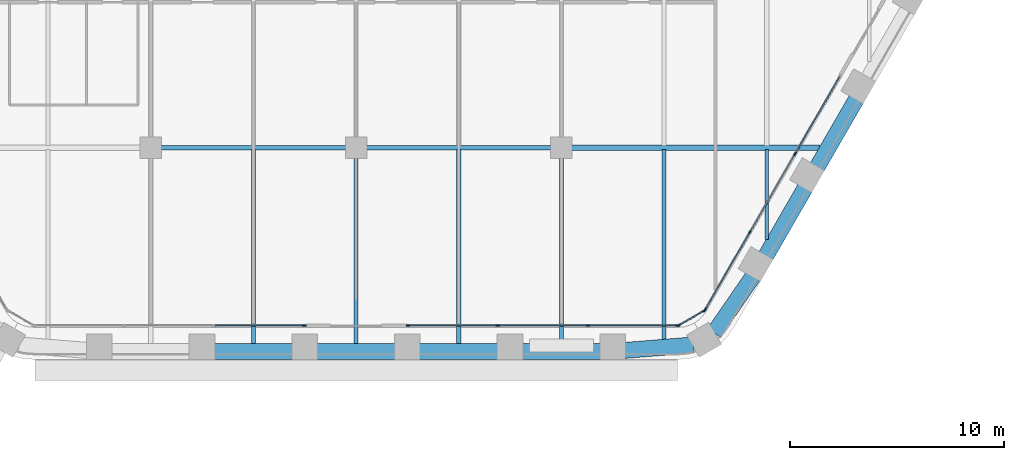
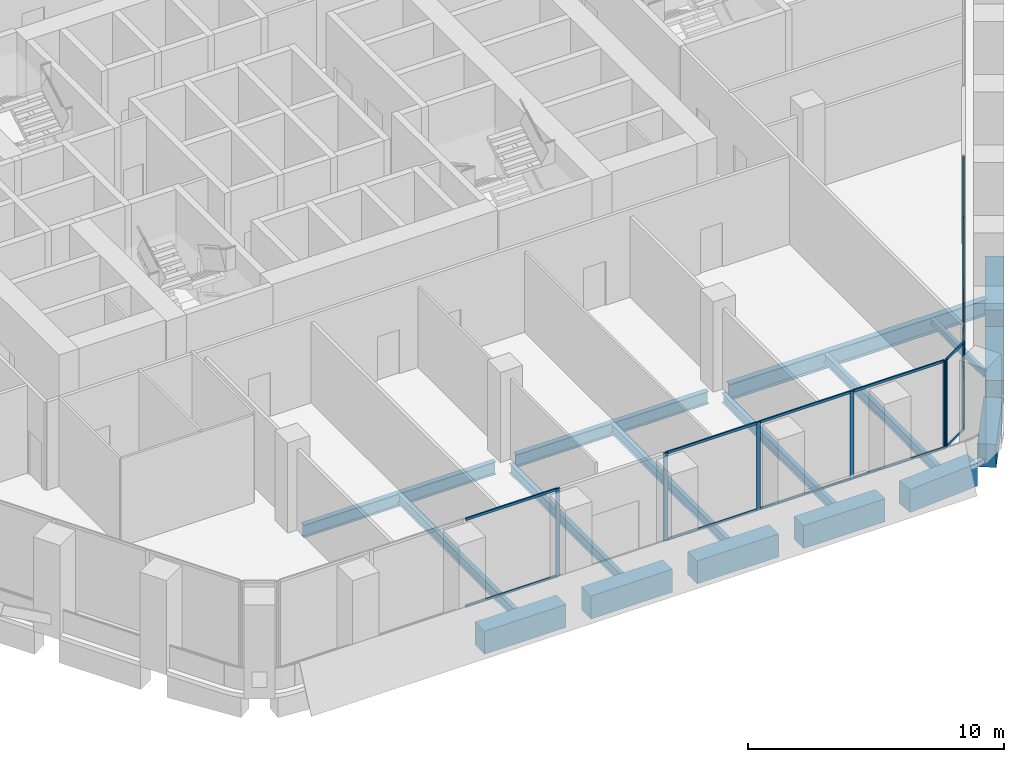
# One storey, part 4 of 27: 26 members, 17 beams, 4 elements without a shape of their own.
"""IFC4 building model written with IfcOpenShell, lengths in metres."""

from ifc_helpers import new_model, si_unit, direction, frame, origin, origin_2d, place, context, subcontext, project, spatial, rectangle, i_section, extrude, material, material_profile, profile_set, type_object, element, aggregate, save


model = new_model("IFC4")

# Units and contexts
model_context = context("Model", 3, precision=1e-05, world=origin(), true_north=direction((0.0, 1.0)))
body_context = subcontext(model_context, "Body", "Model", "MODEL_VIEW")
ifc_project = project(units=[si_unit("LENGTHUNIT", "METRE"), si_unit("AREAUNIT", "SQUARE_METRE"), si_unit("VOLUMEUNIT", "CUBIC_METRE"), si_unit("PLANEANGLEUNIT", "RADIAN"), si_unit("MASSUNIT", "GRAM", prefix="KILO")], contexts=[model_context])

# Site, building, storey
site_placement = place(None, origin())
site = spatial("IfcSite", under=ifc_project, at=site_placement, CompositionType="ELEMENT")
building_placement = place(site_placement, origin())
building = spatial("IfcBuilding", under=site, at=building_placement, Name="Kolab Exchange Tower", CompositionType="ELEMENT")
storey_placement = place(building_placement, frame((0.0, 0.0, 118.39990234375)))
storey = spatial("IfcBuildingStorey", under=building, at=storey_placement, Name="L23", CompositionType="ELEMENT", Elevation=118.39990234375)

# Beams
ifc_material_1 = material(Name="Steel S355", Category="steel")
ifc_material_profile_1 = material_profile(ifc_material_1, i_section(OverallWidth=0.1650390625, OverallDepth=0.31005859375, WebThickness=0.005859375, FlangeThickness=0.009765625, at=origin_2d()), Name="W310X39")
ifc_profile_set_1 = profile_set([ifc_material_profile_1], Name="Steel S355")
beam_type_1 = type_object("IfcBeamType", Name="FLOOR BEAM W310X39", PredefinedType="BEAM", material=ifc_profile_set_1)
beam_1_placement = place(storey_placement, frame((19.199951171875, -23.4814453125, -0.35498046875), z_axis=(0.0, 1.0, 0.0), x_axis=(-1.0, 0.0, 0.0)))
element("IfcBeam", 1, at=beam_1_placement, inside=storey, type_object=beam_type_1, Name="beam/L23/fr/040", PredefinedType="BEAM", context=body_context, shape_type="SweptSolid", body=[
    extrude(i_section(OverallWidth=0.1650390625, OverallDepth=0.31005859375, WebThickness=0.005859375, FlangeThickness=0.009765625, at=origin_2d()), origin(), (0.0, 0.0, 1.0), 4.18798828125),
])
ifc_material_profile_2 = material_profile(ifc_material_1, i_section(OverallWidth=0.18994140625, OverallDepth=0.45703125, WebThickness=0.009033203125, FlangeThickness=0.014404296875, at=origin_2d()), Name="W460X74")
ifc_profile_set_2 = profile_set([ifc_material_profile_2], Name="Steel S355")
beam_type_2 = type_object("IfcBeamType", Name="FLOOR BEAM W460X74", PredefinedType="BEAM", material=ifc_profile_set_2)
beam_2_placement = place(storey_placement, frame((-4.800048828125, -28.388427734375, -0.428466796875), z_axis=(0.0, 1.0, 0.0), x_axis=(-1.0, 0.0, 0.0)))
element("IfcBeam", 2, at=beam_2_placement, inside=storey, type_object=beam_type_2, Name="beam/L23/fr/020", PredefinedType="BEAM", context=body_context, shape_type="SweptSolid", body=[
    extrude(i_section(OverallWidth=0.18994140625, OverallDepth=0.45703125, WebThickness=0.009033203125, FlangeThickness=0.014404296875, at=origin_2d()), origin(), (0.0, 0.0, 1.0), 9.114501953125),
])
beam_3_placement = place(storey_placement, frame((0.0, -28.388427734375, -0.428466796875), z_axis=(0.0, 1.0, 0.0), x_axis=(-1.0, 0.0, 0.0)))
element("IfcBeam", 3, at=beam_3_placement, inside=storey, type_object=beam_type_2, Name="beam/L23/fr/024", PredefinedType="BEAM", context=body_context, shape_type="SweptSolid", body=[
    extrude(i_section(OverallWidth=0.18994140625, OverallDepth=0.45703125, WebThickness=0.009033203125, FlangeThickness=0.014404296875, at=origin_2d()), origin(), (0.0, 0.0, 1.0), 8.728515625),
])
beam_4_placement = place(storey_placement, frame((4.800048828125, -28.388427734375, -0.428466796875), z_axis=(0.0, 1.0, 0.0), x_axis=(-1.0, 0.0, 0.0)))
element("IfcBeam", 4, at=beam_4_placement, inside=storey, type_object=beam_type_2, Name="beam/L23/fr/028", PredefinedType="BEAM", context=body_context, shape_type="SweptSolid", body=[
    extrude(i_section(OverallWidth=0.18994140625, OverallDepth=0.45703125, WebThickness=0.009033203125, FlangeThickness=0.014404296875, at=origin_2d()), origin(), (0.0, 0.0, 1.0), 9.114501953125),
])
beam_5_placement = place(storey_placement, frame((9.60009765625, -28.388427734375, -0.428466796875), z_axis=(0.0, 1.0, 0.0), x_axis=(-1.0, 0.0, 0.0)))
element("IfcBeam", 5, at=beam_5_placement, inside=storey, type_object=beam_type_2, Name="beam/L23/fr/032", PredefinedType="BEAM", context=body_context, shape_type="SweptSolid", body=[
    extrude(i_section(OverallWidth=0.18994140625, OverallDepth=0.45703125, WebThickness=0.009033203125, FlangeThickness=0.014404296875, at=origin_2d()), origin(), (0.0, 0.0, 1.0), 8.728515625),
])
beam_6_placement = place(storey_placement, frame((14.39990234375, -28.194580078125, -0.428466796875), z_axis=(0.0, 1.0, 0.0), x_axis=(-1.0, 0.0, 0.0)))
element("IfcBeam", 6, at=beam_6_placement, inside=storey, type_object=beam_type_2, Name="beam/L23/fr/036", PredefinedType="BEAM", context=body_context, shape_type="SweptSolid", body=[
    extrude(i_section(OverallWidth=0.18994140625, OverallDepth=0.45703125, WebThickness=0.009033203125, FlangeThickness=0.014404296875, at=origin_2d()), origin(), (0.0, 0.0, 1.0), 8.901123046875),
])
ifc_material_profile_3 = material_profile(ifc_material_1, i_section(OverallWidth=0.22802734375, OverallDepth=0.60791015625, WebThickness=0.01123046875, FlangeThickness=0.017333984375, at=origin_2d()), Name="W610X113")
ifc_profile_set_3 = profile_set([ifc_material_profile_3], Name="Steel S355")
beam_type_3 = type_object("IfcBeamType", Name="FLOOR GIRDER W610X113", PredefinedType="BEAM", material=ifc_profile_set_3)
for number, where, z_axis, x_axis, name in (
    (7, (-9.139892578125, -19.199951171875, -0.50390625), (1.0, 0.0, 0.0), (0.0, 1.0, 0.0), "beam/L23/gd/008"),
    (8, (0.4599609375, -19.199951171875, -0.50390625), (1.0, 0.0, 0.0), (0.0, 1.0, 0.0), "beam/L23/gd/010"),
):
    element("IfcBeam", number, at=place(storey_placement, frame(where, z_axis=z_axis, x_axis=x_axis)), inside=storey, type_object=beam_type_3, Name=name, PredefinedType="BEAM", context=body_context, shape_type="SweptSolid", body=[
        extrude(i_section(OverallWidth=0.22802734375, OverallDepth=0.60791015625, WebThickness=0.01123046875, FlangeThickness=0.017333984375, at=origin_2d()), origin(), (0.0, 0.0, 1.0), 8.679931640625),
    ])
ifc_material_profile_4 = material_profile(ifc_material_1, i_section(OverallWidth=0.26708984375, OverallDepth=0.761962890625, WebThickness=0.014404296875, FlangeThickness=0.021484375, at=origin_2d()), Name="W760X173")
ifc_profile_set_4 = profile_set([ifc_material_profile_4], Name="Steel S355")
beam_type_4 = type_object("IfcBeamType", Name="FLOOR GIRDER W760X173", PredefinedType="BEAM", material=ifc_profile_set_4)
beam_7_placement = place(storey_placement, frame((10.06005859375, -19.199951171875, -0.580810546875), z_axis=(1.0, 0.0, 0.0), x_axis=(0.0, 1.0, 0.0)))
element("IfcBeam", 9, at=beam_7_placement, inside=storey, type_object=beam_type_4, Name="beam/L23/gd/012", PredefinedType="BEAM", context=body_context, shape_type="SweptSolid", body=[
    extrude(i_section(OverallWidth=0.26708984375, OverallDepth=0.761962890625, WebThickness=0.014404296875, FlangeThickness=0.021484375, at=origin_2d()), origin(), (0.0, 0.0, 1.0), 11.628662109375),
])
ifc_material_2 = material(Name="Concrete C70/85", Category="concrete")
ifc_material_profile_5 = material_profile(ifc_material_2, rectangle(XDim=0.75, YDim=1.10009765625, at=origin_2d()), Name="RC750X1100")
ifc_profile_set_5 = profile_set([ifc_material_profile_5], Name="Concrete C70/85")
beam_type_5 = type_object("IfcBeamType", Name="SPANDREL BEAM 750X1100 C70/85", PredefinedType="BEAM", material=ifc_profile_set_5)
for number, where, z_axis, x_axis, name in (
    (10, (23.395263671875, -16.925048828125, -0.75), (-0.500013413428, -0.866017659399, 0.0), (0.866017659399, -0.500013413428, 0.0), "beam/L23/sp/F3-05"),
    (11, (20.995361328125, -21.08203125, -0.75), (-0.500013413428, -0.866017659399, 0.0), (0.866017659399, -0.500013413428, 0.0), "beam/L23/sp/F3-06"),
):
    element("IfcBeam", number, at=place(storey_placement, frame(where, z_axis=z_axis, x_axis=x_axis)), inside=storey, type_object=beam_type_5, Name=name, PredefinedType="BEAM", context=body_context, shape_type="SweptSolid", body=[
        extrude(rectangle(XDim=0.75, YDim=1.10009765625, at=origin_2d()), origin(), (0.0, 0.0, 1.0), 3.68017578125),
    ])
for number, where, z_axis, x_axis, name in (
    (12, (18.55615234375, -25.216552734375, -0.75), (-0.567661826262, -0.823261836237, 0.0), (0.823261836237, -0.567661826262, 0.0), "beam/L23/sp/F3-07"),
    (13, (15.75830078125, -28.421630859375, -0.75), (-0.996791038408, -0.080047646748, 0.0), (0.080047646748, -0.996791038408, 0.0), "beam/L23/sp/F4-01"),
):
    element("IfcBeam", number, at=place(storey_placement, frame(where, z_axis=z_axis, x_axis=x_axis)), inside=storey, type_object=beam_type_5, Name=name, PredefinedType="BEAM", context=body_context, shape_type="SweptSolid", body=[
        extrude(rectangle(XDim=0.75, YDim=1.10009765625, at=origin_2d()), origin(), (0.0, 0.0, 1.0), 3.20849609375),
    ])
for number, where, z_axis, x_axis, name in (
    (14, (11.43994140625, -28.723388671875, -0.75), (-1.0, 0.0, 0.0), (0.0, -1.0, 0.0), "beam/L23/sp/F4-02"),
    (15, (6.639892578125, -28.723388671875, -0.75), (-1.0, 0.0, 0.0), (0.0, -1.0, 0.0), "beam/L23/sp/F4-03"),
):
    element("IfcBeam", number, at=place(storey_placement, frame(where, z_axis=z_axis, x_axis=x_axis)), inside=storey, type_object=beam_type_5, Name=name, PredefinedType="BEAM", context=body_context, shape_type="SweptSolid", body=[
        extrude(rectangle(XDim=0.75, YDim=1.10009765625, at=origin_2d()), origin(), (0.0, 0.0, 1.0), 3.679931640625),
    ])
beam_8_placement = place(storey_placement, frame((1.840087890625, -28.723388671875, -0.75), z_axis=(-1.0, 0.0, 0.0), x_axis=(0.0, -1.0, 0.0)))
element("IfcBeam", 16, at=beam_8_placement, inside=storey, type_object=beam_type_5, Name="beam/L23/sp/F4-04", PredefinedType="BEAM", context=body_context, shape_type="SweptSolid", body=[
    extrude(rectangle(XDim=0.75, YDim=1.10009765625, at=origin_2d()), origin(), (0.0, 0.0, 1.0), 3.68017578125),
])
beam_9_placement = place(storey_placement, frame((-2.9599609375, -28.723388671875, -0.75), z_axis=(-1.0, 0.0, 0.0), x_axis=(0.0, -1.0, 0.0)))
element("IfcBeam", 17, at=beam_9_placement, inside=storey, type_object=beam_type_5, Name="beam/L23/sp/F4-05", PredefinedType="BEAM", context=body_context, shape_type="SweptSolid", body=[
    extrude(rectangle(XDim=0.75, YDim=1.10009765625, at=origin_2d()), origin(), (0.0, 0.0, 1.0), 3.679931640625),
])

# Curtain wall, members
ifc_material_3 = material(Name="Aluminium EN AW-6063 T6", Category="aluminium")
curtain_wall_type = type_object("IfcCurtainWallType", Name="UNITISED LOWER MID ZONE CURTAIN WALL", PredefinedType="NOTDEFINED", material=ifc_material_3)
curtain_wall_1_placement = place(storey_placement, origin())
curtain_wall_1 = element("IfcCurtainWall", 18, at=curtain_wall_1_placement, inside=storey, type_object=curtain_wall_type, Name="cw/L23/F3-2", PredefinedType="NOTDEFINED")
ifc_material_profile_6 = material_profile(ifc_material_3, rectangle(XDim=0.06005859375, YDim=0.179931640625, at=origin_2d()), Name="RECT 60X180")
ifc_profile_set_6 = profile_set([ifc_material_profile_6], Name="Aluminium EN AW-6063 T6")
member_type_1 = type_object("IfcMemberType", Name="UNITISED LOWER MID ZONE MULLION 60 X 180", PredefinedType="MULLION", material=ifc_profile_set_6)
member_1_placement = place(storey_placement, frame((20.520263671875, -19.49462890625, 0.0), z_axis=(0.0, 0.0, 1.0), x_axis=(0.866025393644, -0.500000017564, 0.0)))
member_1 = element("IfcMember", 19, at=member_1_placement, type_object=member_type_1, Name="CW2 mullion 2", PredefinedType="MULLION", context=body_context, shape_type="SweptSolid", body=[
    extrude(rectangle(XDim=0.06005859375, YDim=0.179931640625, at=origin_2d()), origin(), (0.0, 0.0, 1.0), 4.2001953125),
])
member_2_placement = place(storey_placement, frame((18.408935546875, -23.151611328125, 0.0), z_axis=(0.0, 0.0, 1.0), x_axis=(0.866025393644, -0.500000017564, 0.0)))
member_2 = element("IfcMember", 20, at=member_2_placement, type_object=member_type_1, Name="CW2 mullion 3", PredefinedType="MULLION", context=body_context, shape_type="SweptSolid", body=[
    extrude(rectangle(XDim=0.06005859375, YDim=0.179931640625, at=origin_2d()), origin(), (0.0, 0.0, 1.0), 4.2001953125),
])
member_3_placement = place(storey_placement, frame((16.312744140625, -26.782470703125, 0.0), z_axis=(0.0, 0.0, 1.0), x_axis=(0.866025393644, -0.500000017564, 0.0)))
member_3 = element("IfcMember", 21, at=member_3_placement, type_object=member_type_1, Name="CW2 mullion 4", PredefinedType="MULLION", context=body_context, shape_type="SweptSolid", body=[
    extrude(rectangle(XDim=0.06005859375, YDim=0.179931640625, at=origin_2d()), origin(), (0.0, 0.0, 1.0), 4.2001953125),
])

curtain_wall_2_placement = place(storey_placement, origin())
curtain_wall_2 = element("IfcCurtainWall", 22, at=curtain_wall_2_placement, inside=storey, type_object=curtain_wall_type, Name="cw/L23/F4-1", PredefinedType="NOTDEFINED")
member_4_placement = place(storey_placement, frame((15.037841796875, -27.5185546875, 0.0), z_axis=(0.0, 0.0, 1.0), x_axis=(0.0, -1.0, 0.0)))
member_4 = element("IfcMember", 23, at=member_4_placement, type_object=member_type_1, Name="CW2 mullion 1", PredefinedType="MULLION", context=body_context, shape_type="SweptSolid", body=[
    extrude(rectangle(XDim=0.06005859375, YDim=0.179931640625, at=origin_2d()), origin(), (0.0, 0.0, 1.0), 4.2001953125),
])
member_5_placement = place(storey_placement, frame((10.84521484375, -27.5185546875, 0.0), z_axis=(0.0, 0.0, 1.0), x_axis=(0.0, -1.0, 0.0)))
member_5 = element("IfcMember", 24, at=member_5_placement, type_object=member_type_1, Name="CW2 mullion 2", PredefinedType="MULLION", context=body_context, shape_type="SweptSolid", body=[
    extrude(rectangle(XDim=0.06005859375, YDim=0.179931640625, at=origin_2d()), origin(), (0.0, 0.0, 1.0), 4.2001953125),
])
member_6_placement = place(storey_placement, frame((6.62255859375, -27.5185546875, 0.0), z_axis=(0.0, 0.0, 1.0), x_axis=(0.0, -1.0, 0.0)))
member_6 = element("IfcMember", 25, at=member_6_placement, type_object=member_type_1, Name="CW2 mullion 3", PredefinedType="MULLION", context=body_context, shape_type="SweptSolid", body=[
    extrude(rectangle(XDim=0.06005859375, YDim=0.179931640625, at=origin_2d()), origin(), (0.0, 0.0, 1.0), 4.2001953125),
])
member_7_placement = place(storey_placement, frame((2.429931640625, -27.5185546875, 0.0), z_axis=(0.0, 0.0, 1.0), x_axis=(0.0, -1.0, 0.0)))
member_7 = element("IfcMember", 26, at=member_7_placement, type_object=member_type_1, Name="CW2 mullion 4", PredefinedType="MULLION", context=body_context, shape_type="SweptSolid", body=[
    extrude(rectangle(XDim=0.06005859375, YDim=0.179931640625, at=origin_2d()), origin(), (0.0, 0.0, 1.0), 4.2001953125),
])

# Curtain wall, member
curtain_wall_3_placement = place(storey_placement, origin())
curtain_wall_3 = element("IfcCurtainWall", 27, at=curtain_wall_3_placement, inside=storey, type_object=curtain_wall_type, Name="cw/L23/F4-2", PredefinedType="NOTDEFINED")
member_8_placement = place(storey_placement, frame((-2.429931640625, -27.5185546875, 0.0), z_axis=(0.0, 0.0, 1.0), x_axis=(0.0, -1.0, 0.0)))
member_8 = element("IfcMember", 28, at=member_8_placement, type_object=member_type_1, Name="CW2 mullion 1", PredefinedType="MULLION", context=body_context, shape_type="SweptSolid", body=[
    extrude(rectangle(XDim=0.06005859375, YDim=0.179931640625, at=origin_2d()), origin(), (0.0, 0.0, 1.0), 4.2001953125),
])

# Curtain wall, members
curtain_wall_4_placement = place(storey_placement, origin())
curtain_wall_4 = element("IfcCurtainWall", 29, at=curtain_wall_4_placement, inside=storey, type_object=curtain_wall_type, Name="cw/L23/F3F4-corner", PredefinedType="NOTDEFINED")
member_9_placement = place(storey_placement, frame((16.271728515625, -26.823486328125, 0.0), z_axis=(0.0, 0.0, 1.0), x_axis=(0.50000002237, -0.866025390869, 0.0)))
member_9 = element("IfcMember", 30, at=member_9_placement, type_object=member_type_1, Name="CW2 mullion 1", PredefinedType="MULLION", context=body_context, shape_type="SweptSolid", body=[
    extrude(rectangle(XDim=0.06005859375, YDim=0.179931640625, at=origin_2d()), origin(), (0.0, 0.0, 1.0), 4.2001953125),
])
member_10_placement = place(storey_placement, frame((15.093994140625, -27.50341796875, 0.0), z_axis=(0.0, 0.0, 1.0), x_axis=(0.50000002237, -0.866025390869, 0.0)))
member_10 = element("IfcMember", 31, at=member_10_placement, type_object=member_type_1, Name="CW2 mullion 2", PredefinedType="MULLION", context=body_context, shape_type="SweptSolid", body=[
    extrude(rectangle(XDim=0.06005859375, YDim=0.179931640625, at=origin_2d()), origin(), (0.0, 0.0, 1.0), 4.2001953125),
])

# Member
ifc_material_profile_7 = material_profile(ifc_material_3, rectangle(XDim=0.06005859375, YDim=0.1201171875, at=origin_2d()), Name="RECT 60X120")
ifc_profile_set_7 = profile_set([ifc_material_profile_7], Name="Aluminium EN AW-6063 T6")
member_type_2 = type_object("IfcMemberType", Name="UNITISED LOWER MID ZONE TRANSOM 60 X 120", PredefinedType="USERDEFINED", material=ifc_profile_set_7)
member_11_placement = place(storey_placement, frame((22.6015625, -15.8896484375, 0.030029296875), z_axis=(-0.499957688808, -0.866049830784, 0.0), x_axis=(0.866049830784, -0.499957688808, 0.0)))
member_11 = element("IfcMember", 32, at=member_11_placement, type_object=member_type_2, Name="CW2 transom 1.1", ObjectType="TRANSOM", PredefinedType="USERDEFINED", context=body_context, shape_type="SweptSolid", body=[
    extrude(rectangle(XDim=0.06005859375, YDim=0.1201171875, at=origin_2d()), origin(), (0.0, 0.0, 1.0), 4.132568359375),
])

member_12_placement = place(storey_placement, frame((22.6015625, -15.8896484375, 4.170166015625), z_axis=(-0.499957688808, -0.866049830784, 0.0), x_axis=(0.866049830784, -0.499957688808, 0.0)))
member_12 = element("IfcMember", 33, at=member_12_placement, type_object=member_type_2, Name="CW2 transom 1.2", ObjectType="TRANSOM", PredefinedType="USERDEFINED", context=body_context, shape_type="SweptSolid", body=[
    extrude(rectangle(XDim=0.06005859375, YDim=0.1201171875, at=origin_2d()), origin(), (0.0, 0.0, 1.0), 4.132568359375),
])

member_13_placement = place(storey_placement, frame((20.50537109375, -19.5205078125, 0.030029296875), z_axis=(-0.49999322259, -0.866029316688, 0.0), x_axis=(0.866029316688, -0.49999322259, 0.0)))
member_13 = element("IfcMember", 34, at=member_13_placement, type_object=member_type_2, Name="CW2 transom 2.1", ObjectType="TRANSOM", PredefinedType="USERDEFINED", context=body_context, shape_type="SweptSolid", body=[
    extrude(rectangle(XDim=0.06005859375, YDim=0.1201171875, at=origin_2d()), origin(), (0.0, 0.0, 1.0), 4.16259765625),
])

member_14_placement = place(storey_placement, frame((20.50537109375, -19.5205078125, 4.170166015625), z_axis=(-0.49999322259, -0.866029316688, 0.0), x_axis=(0.866029316688, -0.49999322259, 0.0)))
member_14 = element("IfcMember", 35, at=member_14_placement, type_object=member_type_2, Name="CW2 transom 2.2", ObjectType="TRANSOM", PredefinedType="USERDEFINED", context=body_context, shape_type="SweptSolid", body=[
    extrude(rectangle(XDim=0.06005859375, YDim=0.1201171875, at=origin_2d()), origin(), (0.0, 0.0, 1.0), 4.16259765625),
])

member_15_placement = place(storey_placement, frame((18.39404296875, -23.177490234375, 0.030029296875), z_axis=(-0.500001996123, -0.866024251319, 0.0), x_axis=(0.866024251319, -0.500001996123, 0.0)))
member_15 = element("IfcMember", 36, at=member_15_placement, type_object=member_type_2, Name="CW2 transom 3.1", ObjectType="TRANSOM", PredefinedType="USERDEFINED", context=body_context, shape_type="SweptSolid", body=[
    extrude(rectangle(XDim=0.06005859375, YDim=0.1201171875, at=origin_2d()), origin(), (0.0, 0.0, 1.0), 4.1328125),
])

member_16_placement = place(storey_placement, frame((18.39404296875, -23.177490234375, 4.170166015625), z_axis=(-0.500001996123, -0.866024251319, 0.0), x_axis=(0.866024251319, -0.500001996123, 0.0)))
member_16 = element("IfcMember", 37, at=member_16_placement, type_object=member_type_2, Name="CW2 transom 3.2", ObjectType="TRANSOM", PredefinedType="USERDEFINED", context=body_context, shape_type="SweptSolid", body=[
    extrude(rectangle(XDim=0.06005859375, YDim=0.1201171875, at=origin_2d()), origin(), (0.0, 0.0, 1.0), 4.1328125),
])

aggregate(curtain_wall_1, [member_1, member_2, member_3, member_11, member_12, member_13, member_14, member_15, member_16])

member_17_placement = place(storey_placement, frame((15.008056640625, -27.5185546875, 0.030029296875), z_axis=(-1.0, 0.0, 0.0), x_axis=(0.0, -1.0, 0.0)))
member_17 = element("IfcMember", 38, at=member_17_placement, type_object=member_type_2, Name="CW2 transom 1.1", ObjectType="TRANSOM", PredefinedType="USERDEFINED", context=body_context, shape_type="SweptSolid", body=[
    extrude(rectangle(XDim=0.06005859375, YDim=0.1201171875, at=origin_2d()), origin(), (0.0, 0.0, 1.0), 4.1328125),
])

member_18_placement = place(storey_placement, frame((15.008056640625, -27.5185546875, 4.170166015625), z_axis=(-1.0, 0.0, 0.0), x_axis=(0.0, -1.0, 0.0)))
member_18 = element("IfcMember", 39, at=member_18_placement, type_object=member_type_2, Name="CW2 transom 1.2", ObjectType="TRANSOM", PredefinedType="USERDEFINED", context=body_context, shape_type="SweptSolid", body=[
    extrude(rectangle(XDim=0.06005859375, YDim=0.1201171875, at=origin_2d()), origin(), (0.0, 0.0, 1.0), 4.1328125),
])

member_19_placement = place(storey_placement, frame((10.815185546875, -27.5185546875, 0.030029296875), z_axis=(-1.0, 0.0, 0.0), x_axis=(0.0, -1.0, 0.0)))
member_19 = element("IfcMember", 40, at=member_19_placement, type_object=member_type_2, Name="CW2 transom 2.1", ObjectType="TRANSOM", PredefinedType="USERDEFINED", context=body_context, shape_type="SweptSolid", body=[
    extrude(rectangle(XDim=0.06005859375, YDim=0.1201171875, at=origin_2d()), origin(), (0.0, 0.0, 1.0), 4.16259765625),
])

member_20_placement = place(storey_placement, frame((10.815185546875, -27.5185546875, 4.170166015625), z_axis=(-1.0, 0.0, 0.0), x_axis=(0.0, -1.0, 0.0)))
member_20 = element("IfcMember", 41, at=member_20_placement, type_object=member_type_2, Name="CW2 transom 2.2", ObjectType="TRANSOM", PredefinedType="USERDEFINED", context=body_context, shape_type="SweptSolid", body=[
    extrude(rectangle(XDim=0.06005859375, YDim=0.1201171875, at=origin_2d()), origin(), (0.0, 0.0, 1.0), 4.16259765625),
])

member_21_placement = place(storey_placement, frame((6.592529296875, -27.5185546875, 0.030029296875), z_axis=(-1.0, 0.0, 0.0), x_axis=(0.0, -1.0, 0.0)))
member_21 = element("IfcMember", 42, at=member_21_placement, type_object=member_type_2, Name="CW2 transom 3.1", ObjectType="TRANSOM", PredefinedType="USERDEFINED", context=body_context, shape_type="SweptSolid", body=[
    extrude(rectangle(XDim=0.06005859375, YDim=0.1201171875, at=origin_2d()), origin(), (0.0, 0.0, 1.0), 4.132568359375),
])

member_22_placement = place(storey_placement, frame((6.592529296875, -27.5185546875, 4.170166015625), z_axis=(-1.0, 0.0, 0.0), x_axis=(0.0, -1.0, 0.0)))
member_22 = element("IfcMember", 43, at=member_22_placement, type_object=member_type_2, Name="CW2 transom 3.2", ObjectType="TRANSOM", PredefinedType="USERDEFINED", context=body_context, shape_type="SweptSolid", body=[
    extrude(rectangle(XDim=0.06005859375, YDim=0.1201171875, at=origin_2d()), origin(), (0.0, 0.0, 1.0), 4.132568359375),
])

aggregate(curtain_wall_2, [member_4, member_5, member_6, member_7, member_17, member_18, member_19, member_20, member_21, member_22])

member_23_placement = place(storey_placement, frame((-2.4599609375, -27.5185546875, 0.030029296875), z_axis=(-1.0, 0.0, 0.0), x_axis=(0.0, -1.0, 0.0)))
member_23 = element("IfcMember", 44, at=member_23_placement, type_object=member_type_2, Name="CW2 transom 1.1", ObjectType="TRANSOM", PredefinedType="USERDEFINED", context=body_context, shape_type="SweptSolid", body=[
    extrude(rectangle(XDim=0.06005859375, YDim=0.1201171875, at=origin_2d()), origin(), (0.0, 0.0, 1.0), 4.132568359375),
])

member_24_placement = place(storey_placement, frame((-2.4599609375, -27.5185546875, 4.170166015625), z_axis=(-1.0, 0.0, 0.0), x_axis=(0.0, -1.0, 0.0)))
member_24 = element("IfcMember", 45, at=member_24_placement, type_object=member_type_2, Name="CW2 transom 1.2", ObjectType="TRANSOM", PredefinedType="USERDEFINED", context=body_context, shape_type="SweptSolid", body=[
    extrude(rectangle(XDim=0.06005859375, YDim=0.1201171875, at=origin_2d()), origin(), (0.0, 0.0, 1.0), 4.132568359375),
])

aggregate(curtain_wall_3, [member_8, member_23, member_24])

member_25_placement = place(storey_placement, frame((16.245849609375, -26.83837890625, 0.030029296875), z_axis=(-0.866004217611, -0.500036693733, 0.0), x_axis=(0.500036693733, -0.866004217611, 0.0)))
member_25 = element("IfcMember", 46, at=member_25_placement, type_object=member_type_2, Name="CW2 transom 1.1", ObjectType="TRANSOM", PredefinedType="USERDEFINED", context=body_context, shape_type="SweptSolid", body=[
    extrude(rectangle(XDim=0.06005859375, YDim=0.1201171875, at=origin_2d()), origin(), (0.0, 0.0, 1.0), 1.30029296875),
])

member_26_placement = place(storey_placement, frame((16.245849609375, -26.83837890625, 4.170166015625), z_axis=(-0.866004217611, -0.500036693733, 0.0), x_axis=(0.500036693733, -0.866004217611, 0.0)))
member_26 = element("IfcMember", 47, at=member_26_placement, type_object=member_type_2, Name="CW2 transom 1.2", ObjectType="TRANSOM", PredefinedType="USERDEFINED", context=body_context, shape_type="SweptSolid", body=[
    extrude(rectangle(XDim=0.06005859375, YDim=0.1201171875, at=origin_2d()), origin(), (0.0, 0.0, 1.0), 1.30029296875),
])

aggregate(curtain_wall_4, [member_9, member_10, member_25, member_26])

save(model, "model.ifc")
